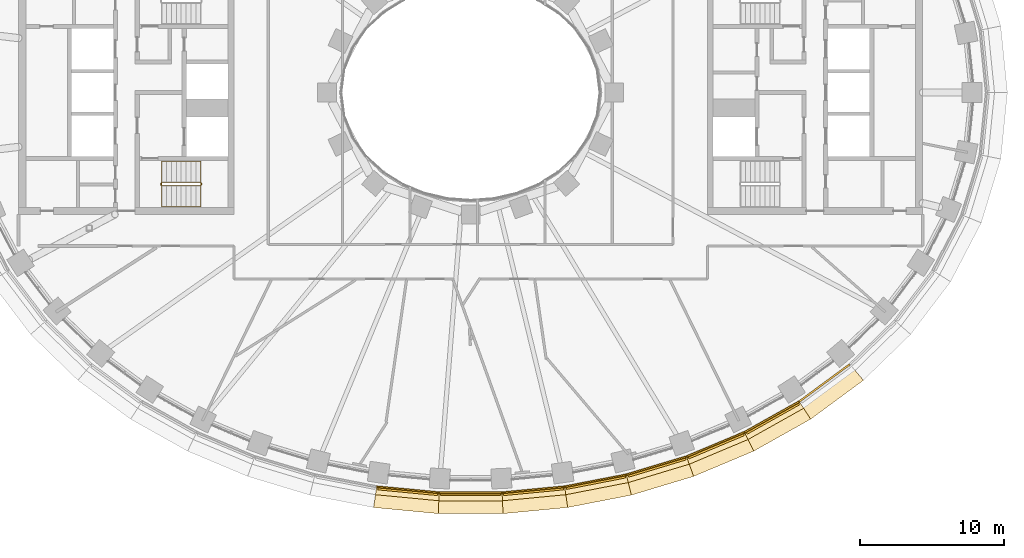
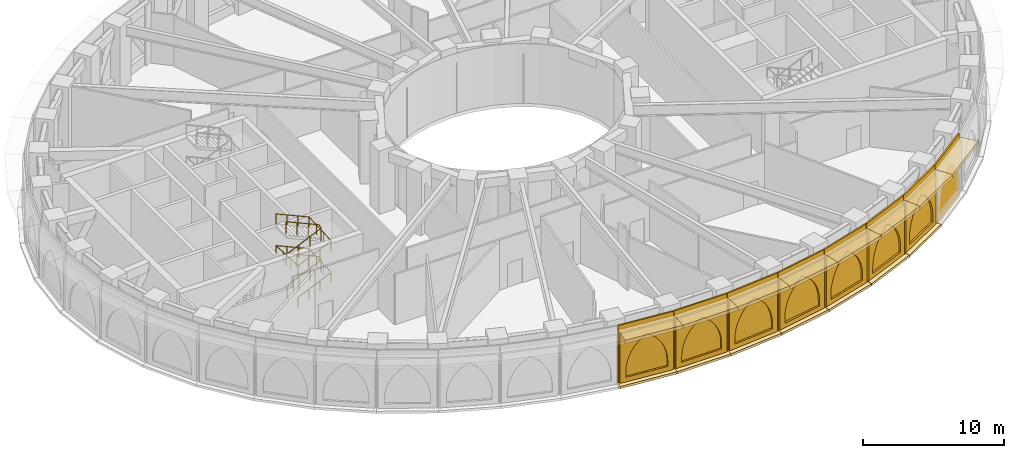
# One storey, part 21 of 25: 30 coverings, 2 railings.
"""IFC4 building model written with IfcOpenShell, lengths in metres."""

from ifc_helpers import new_model, si_unit, direction, frame, origin, origin_2d, place, context, subcontext, project, spatial, polyline, rectangle, outline, extrude, material, layer, layer_set, type_object, element, save


model = new_model("IFC4")

# Units and contexts
model_context = context("Model", 3, precision=1e-05, world=origin(), true_north=direction((0.0, 1.0)))
body_context = subcontext(model_context, "Body", "Model", "MODEL_VIEW")
ifc_project = project(units=[si_unit("LENGTHUNIT", "METRE"), si_unit("AREAUNIT", "SQUARE_METRE"), si_unit("VOLUMEUNIT", "CUBIC_METRE"), si_unit("PLANEANGLEUNIT", "RADIAN"), si_unit("MASSUNIT", "GRAM", prefix="KILO")], contexts=[model_context])

# Site, building, storey
site_placement = place(None, origin())
site = spatial("IfcSite", under=ifc_project, at=site_placement, CompositionType="ELEMENT")
building_placement = place(site_placement, origin())
building = spatial("IfcBuilding", under=site, at=building_placement, Name="Noorbagh Ring Tower", CompositionType="ELEMENT")
storey_placement = place(building_placement, frame((0.0, 0.0, 82.5)))
storey = spatial("IfcBuildingStorey", under=building, at=storey_placement, Name="L18", CompositionType="ELEMENT", Elevation=82.5)

# Railings
ifc_material_1 = material(Name="Stainless steel", Category="steel")
railing_type_1 = type_object("IfcRailingType", Name="CORE-STAIR-GUARD", PredefinedType="GUARDRAIL", material=ifc_material_1)
railing_1_placement = place(storey_placement, frame((-21.580078125, -6.449951171875, 0.0)))
element("IfcRailing", 1, at=railing_1_placement, inside=storey, type_object=railing_type_1, Name="L18 ST2 stair guard", PredefinedType="GUARDRAIL", context=body_context, shape_type="SweptSolid", body=[
    extrude(rectangle(XDim=0.048095703125, YDim=0.048095703125, at=origin_2d()), frame((0.0, 0.0, 1.076171875), z_axis=(0.0, 1.0, 0.0), x_axis=(-1.0, 0.0, 0.0)), (0.0, 0.0, 1.0), 0.14990234375),
    extrude(rectangle(XDim=0.048095703125, YDim=0.048095703125, at=origin_2d()), frame((0.0, 0.14990234375, 1.076171875), z_axis=(0.195046945594, -0.779236333862, 0.595606770449), x_axis=(0.970072785993, 0.242814311512, 0.0)), (0.0, 0.0, 1.0), 0.256591796875),
    extrude(rectangle(XDim=0.048095703125, YDim=0.048095703125, at=origin_2d()), frame((0.050048828125, -0.050048828125, 1.22900390625), z_axis=(0.912149621895, 0.0, 0.409857374312), x_axis=(0.0, 1.0, 0.0)), (0.0, 0.0, 1.0), 2.98193359375),
    extrude(rectangle(XDim=0.048095703125, YDim=0.048095703125, at=origin_2d()), frame((2.77001953125, -0.050048828125, 2.451171875), z_axis=(0.707106781187, 0.707106781187, 0.0), x_axis=(-0.707106781187, 0.707106781187, 0.0)), (0.0, 0.0, 1.0), 0.07080078125),
    extrude(rectangle(XDim=0.048095703125, YDim=0.048095703125, at=origin_2d()), frame((2.820068359375, 0.0, 2.451171875), z_axis=(0.0, 1.0, 0.0), x_axis=(-1.0, 0.0, 0.0)), (0.0, 0.0, 1.0), 0.14990234375),
    extrude(rectangle(XDim=0.048095703125, YDim=0.048095703125, at=origin_2d()), frame((2.820068359375, 0.14990234375, 2.451171875), z_axis=(-0.297155754911, 0.297155754911, 0.90741220768), x_axis=(-0.707106781187, -0.707106781187, 0.0)), (0.0, 0.0, 1.0), 0.16845703125),
    extrude(rectangle(XDim=0.048095703125, YDim=0.048095703125, at=origin_2d()), frame((2.77001953125, 0.199951171875, 2.60400390625), z_axis=(-0.912149621895, 0.0, 0.409857374312), x_axis=(0.0, -1.0, 0.0)), (0.0, 0.0, 1.0), 2.98193359375),
    extrude(rectangle(XDim=0.048095703125, YDim=0.048095703125, at=origin_2d()), frame((0.050048828125, 0.199951171875, 3.826171875), z_axis=(-0.242814311512, -0.970072785993, 0.0), x_axis=(0.970072785993, -0.242814311512, 0.0)), (0.0, 0.0, 1.0), 0.2060546875),
    extrude(rectangle(XDim=0.048095703125, YDim=0.048095703125, at=origin_2d()), frame((0.0, 0.0, 3.826171875), z_axis=(0.0, 1.0, 0.0), x_axis=(-1.0, 0.0, 0.0)), (0.0, 0.0, 1.0), 0.14990234375),
    extrude(rectangle(XDim=0.048095703125, YDim=0.048095703125, at=origin_2d()), frame((0.0, 0.14990234375, 3.826171875), z_axis=(0.195046945594, -0.779236333862, 0.595606770449), x_axis=(0.970072785993, 0.242814311512, 0.0)), (0.0, 0.0, 1.0), 0.256591796875),
    extrude(rectangle(XDim=0.048095703125, YDim=0.048095703125, at=origin_2d()), frame((0.050048828125, -0.050048828125, 3.97900390625), z_axis=(0.912149621895, 0.0, 0.409857374312), x_axis=(0.0, 1.0, 0.0)), (0.0, 0.0, 1.0), 2.98193359375),
    extrude(rectangle(XDim=0.048095703125, YDim=0.048095703125, at=origin_2d()), frame((2.77001953125, -0.050048828125, 5.201171875), z_axis=(0.707106781187, 0.707106781187, 0.0), x_axis=(-0.707106781187, 0.707106781187, 0.0)), (0.0, 0.0, 1.0), 0.07080078125),
    extrude(rectangle(XDim=0.048095703125, YDim=0.048095703125, at=origin_2d()), frame((2.820068359375, 0.0, 5.201171875), z_axis=(0.0, 1.0, 0.0), x_axis=(-1.0, 0.0, 0.0)), (0.0, 0.0, 1.0), 0.14990234375),
    extrude(rectangle(XDim=0.048095703125, YDim=0.048095703125, at=origin_2d()), frame((2.820068359375, 0.14990234375, 5.201171875), z_axis=(-0.297155754911, 0.297155754911, 0.90741220768), x_axis=(-0.707106781187, -0.707106781187, 0.0)), (0.0, 0.0, 1.0), 0.16845703125),
    extrude(rectangle(XDim=0.048095703125, YDim=0.048095703125, at=origin_2d()), frame((2.77001953125, 0.199951171875, 5.35400390625), z_axis=(-0.912149621895, 0.0, 0.409857374312), x_axis=(0.0, -1.0, 0.0)), (0.0, 0.0, 1.0), 2.98193359375),
    extrude(rectangle(XDim=0.0419921875, YDim=0.0419921875, at=origin_2d()), origin(), (0.0, 0.0, 1.0), 1.052001953125),
    extrude(rectangle(XDim=0.0419921875, YDim=0.0419921875, at=origin_2d()), frame((0.956787109375, -0.050048828125, 0.560302734375)), (0.0, 0.0, 1.0), 1.052001953125),
    extrude(rectangle(XDim=0.0419921875, YDim=0.0419921875, at=origin_2d()), frame((1.86328125, -0.050048828125, 0.967529296875)), (0.0, 0.0, 1.0), 1.052001953125),
    extrude(rectangle(XDim=0.0419921875, YDim=0.0419921875, at=origin_2d()), frame((2.77001953125, -0.050048828125, 1.375)), (0.0, 0.0, 1.0), 1.052001953125),
    extrude(rectangle(XDim=0.0419921875, YDim=0.0419921875, at=origin_2d()), frame((1.86328125, 0.199951171875, 1.935302734375)), (0.0, 0.0, 1.0), 1.052001953125),
    extrude(rectangle(XDim=0.0419921875, YDim=0.0419921875, at=origin_2d()), frame((0.956787109375, 0.199951171875, 2.342529296875)), (0.0, 0.0, 1.0), 1.052001953125),
    extrude(rectangle(XDim=0.0419921875, YDim=0.0419921875, at=origin_2d()), frame((0.050048828125, 0.199951171875, 2.75)), (0.0, 0.0, 1.0), 1.052001953125),
    extrude(rectangle(XDim=0.0419921875, YDim=0.0419921875, at=origin_2d()), frame((0.956787109375, -0.050048828125, 3.310302734375)), (0.0, 0.0, 1.0), 1.052001953125),
    extrude(rectangle(XDim=0.0419921875, YDim=0.0419921875, at=origin_2d()), frame((1.86328125, -0.050048828125, 3.717529296875)), (0.0, 0.0, 1.0), 1.052001953125),
    extrude(rectangle(XDim=0.0419921875, YDim=0.0419921875, at=origin_2d()), frame((2.77001953125, -0.050048828125, 4.125)), (0.0, 0.0, 1.0), 1.052001953125),
    extrude(rectangle(XDim=0.0419921875, YDim=0.0419921875, at=origin_2d()), frame((1.86328125, 0.199951171875, 4.685302734375)), (0.0, 0.0, 1.0), 1.052001953125),
    extrude(rectangle(XDim=0.0419921875, YDim=0.0419921875, at=origin_2d()), frame((0.956787109375, 0.199951171875, 5.092529296875)), (0.0, 0.0, 1.0), 1.052001953125),
    extrude(rectangle(XDim=0.0419921875, YDim=0.0419921875, at=origin_2d()), frame((0.050048828125, 0.199951171875, 5.5)), (0.0, 0.0, 1.0), 1.052001953125),
])
ifc_material_2 = material(Name="Stainless steel", Category="steel")
railing_type_2 = type_object("IfcRailingType", Name="CORE-STAIR-HANDRAIL", PredefinedType="HANDRAIL", material=ifc_material_2)
railing_2_placement = place(storey_placement, frame((-21.530029296875, -7.949951171875, 0.15283203125)))
element("IfcRailing", 2, at=railing_2_placement, inside=storey, type_object=railing_type_2, Name="L18 ST2 stair handrail", PredefinedType="HANDRAIL", context=body_context, shape_type="SweptSolid", body=[
    extrude(rectangle(XDim=0.048095703125, YDim=0.048095703125, at=origin_2d()), frame((0.0, 0.0, 0.8759765625), z_axis=(0.912149621895, 0.0, 0.409857374312), x_axis=(0.0, 1.0, 0.0)), (0.0, 0.0, 1.0), 2.98193359375),
    extrude(rectangle(XDim=0.048095703125, YDim=0.048095703125, at=origin_2d()), frame((2.719970703125, 0.0, 2.09814453125), z_axis=(0.0, 0.998824997948, 0.048462598722), x_axis=(-1.0, 0.0, 0.0)), (0.0, 0.0, 1.0), 3.153564453125),
    extrude(rectangle(XDim=0.048095703125, YDim=0.048095703125, at=origin_2d()), frame((2.719970703125, 3.14990234375, 2.2509765625), z_axis=(-0.912149621895, 0.0, 0.409857374312), x_axis=(0.0, -1.0, 0.0)), (0.0, 0.0, 1.0), 2.98193359375),
    extrude(rectangle(XDim=0.048095703125, YDim=0.048095703125, at=origin_2d()), frame((0.0, 3.14990234375, 3.47314453125), z_axis=(0.0, -0.998824997948, 0.048462598722), x_axis=(1.0, 0.0, 0.0)), (0.0, 0.0, 1.0), 3.153564453125),
    extrude(rectangle(XDim=0.048095703125, YDim=0.048095703125, at=origin_2d()), frame((0.0, 0.0, 3.6259765625), z_axis=(0.912149621895, 0.0, 0.409857374312), x_axis=(0.0, 1.0, 0.0)), (0.0, 0.0, 1.0), 2.98193359375),
    extrude(rectangle(XDim=0.048095703125, YDim=0.048095703125, at=origin_2d()), frame((2.719970703125, 0.0, 4.84814453125), z_axis=(0.0, 0.998824997948, 0.048462598722), x_axis=(-1.0, 0.0, 0.0)), (0.0, 0.0, 1.0), 3.153564453125),
    extrude(rectangle(XDim=0.048095703125, YDim=0.048095703125, at=origin_2d()), frame((2.719970703125, 3.14990234375, 5.0009765625), z_axis=(-0.912149621895, 0.0, 0.409857374312), x_axis=(0.0, -1.0, 0.0)), (0.0, 0.0, 1.0), 2.98193359375),
    extrude(rectangle(XDim=0.0419921875, YDim=0.0419921875, at=origin_2d()), origin(), (0.0, 0.0, 1.0), 0.851806640625),
    extrude(rectangle(XDim=0.0419921875, YDim=0.0419921875, at=origin_2d()), frame((0.90673828125, 0.0, 0.407470703125)), (0.0, 0.0, 1.0), 0.851806640625),
    extrude(rectangle(XDim=0.0419921875, YDim=0.0419921875, at=origin_2d()), frame((1.813232421875, 0.0, 0.814697265625)), (0.0, 0.0, 1.0), 0.851806640625),
    extrude(rectangle(XDim=0.0419921875, YDim=0.0419921875, at=origin_2d()), frame((2.719970703125, 0.0, 1.22216796875)), (0.0, 0.0, 1.0), 0.851806640625),
    extrude(rectangle(XDim=0.0419921875, YDim=0.0419921875, at=origin_2d()), frame((2.719970703125, 1.050048828125, 1.273193359375)), (0.0, 0.0, 1.0), 0.851806640625),
    extrude(rectangle(XDim=0.0419921875, YDim=0.0419921875, at=origin_2d()), frame((2.719970703125, 2.099853515625, 1.323974609375)), (0.0, 0.0, 1.0), 0.851806640625),
    extrude(rectangle(XDim=0.0419921875, YDim=0.0419921875, at=origin_2d()), frame((2.719970703125, 3.14990234375, 1.375)), (0.0, 0.0, 1.0), 0.851806640625),
    extrude(rectangle(XDim=0.0419921875, YDim=0.0419921875, at=origin_2d()), frame((1.813232421875, 3.14990234375, 1.782470703125)), (0.0, 0.0, 1.0), 0.851806640625),
    extrude(rectangle(XDim=0.0419921875, YDim=0.0419921875, at=origin_2d()), frame((0.90673828125, 3.14990234375, 2.189697265625)), (0.0, 0.0, 1.0), 0.851806640625),
    extrude(rectangle(XDim=0.0419921875, YDim=0.0419921875, at=origin_2d()), frame((0.0, 3.14990234375, 2.59716796875)), (0.0, 0.0, 1.0), 0.851806640625),
    extrude(rectangle(XDim=0.0419921875, YDim=0.0419921875, at=origin_2d()), frame((0.0, 2.099853515625, 2.648193359375)), (0.0, 0.0, 1.0), 0.851806640625),
    extrude(rectangle(XDim=0.0419921875, YDim=0.0419921875, at=origin_2d()), frame((0.0, 1.050048828125, 2.698974609375)), (0.0, 0.0, 1.0), 0.851806640625),
    extrude(rectangle(XDim=0.0419921875, YDim=0.0419921875, at=origin_2d()), frame((0.0, 0.0, 2.75)), (0.0, 0.0, 1.0), 0.851806640625),
    extrude(rectangle(XDim=0.0419921875, YDim=0.0419921875, at=origin_2d()), frame((0.90673828125, 0.0, 3.157470703125)), (0.0, 0.0, 1.0), 0.851806640625),
    extrude(rectangle(XDim=0.0419921875, YDim=0.0419921875, at=origin_2d()), frame((1.813232421875, 0.0, 3.564697265625)), (0.0, 0.0, 1.0), 0.851806640625),
    extrude(rectangle(XDim=0.0419921875, YDim=0.0419921875, at=origin_2d()), frame((2.719970703125, 0.0, 3.97216796875)), (0.0, 0.0, 1.0), 0.851806640625),
    extrude(rectangle(XDim=0.0419921875, YDim=0.0419921875, at=origin_2d()), frame((2.719970703125, 1.050048828125, 4.023193359375)), (0.0, 0.0, 1.0), 0.851806640625),
    extrude(rectangle(XDim=0.0419921875, YDim=0.0419921875, at=origin_2d()), frame((2.719970703125, 2.099853515625, 4.073974609375)), (0.0, 0.0, 1.0), 0.851806640625),
    extrude(rectangle(XDim=0.0419921875, YDim=0.0419921875, at=origin_2d()), frame((2.719970703125, 3.14990234375, 4.125)), (0.0, 0.0, 1.0), 0.851806640625),
    extrude(rectangle(XDim=0.0419921875, YDim=0.0419921875, at=origin_2d()), frame((1.813232421875, 3.14990234375, 4.532470703125)), (0.0, 0.0, 1.0), 0.851806640625),
    extrude(rectangle(XDim=0.0419921875, YDim=0.0419921875, at=origin_2d()), frame((0.90673828125, 3.14990234375, 4.939697265625)), (0.0, 0.0, 1.0), 0.851806640625),
    extrude(rectangle(XDim=0.0419921875, YDim=0.0419921875, at=origin_2d()), frame((0.0, 3.14990234375, 5.34716796875)), (0.0, 0.0, 1.0), 0.851806640625),
])

# Coverings
ifc_material_3 = material(Name="Aluminium 6063-T6 black anodised", Category="aluminium")
ifc_layer_1 = layer(ifc_material_3, 0.1201171875)
ifc_layer_set_1 = layer_set([ifc_layer_1], Name="Aluminium 6063-T6 black anodised")
covering_type_1 = type_object("IfcCoveringType", Name="ENV-LOUVRE-BAND", PredefinedType="CLADDING", material=ifc_layer_set_1)
for number, where, z_axis, x_axis, name in (
    (3, (-4.37060546875, -27.679931640625, -0.300048828125), (0.0, 0.0, 1.0), (0.995476497323, -0.095008122171, 0.0), "Louvre screen chord 34"),
    (4, (0.0, -27.887939453125, -0.300048828125), (0.0, 0.0, 1.0), (1.0, 0.0, 0.0), "Louvre screen chord 35"),
    (5, (4.37060546875, -27.679931640625, -0.300048828125), (0.0, 0.0, 1.0), (0.995476497323, 0.095008122171, 0.0), "Louvre screen chord 36"),
    (6, (8.700927734375, -27.053955078125, -0.300048828125), (0.0, 0.0, 1.0), (0.981624952922, 0.190820470077, 0.0), "Louvre screen chord 37"),
):
    element("IfcCovering", number, at=place(storey_placement, frame(where, z_axis=z_axis, x_axis=x_axis)), inside=storey, type_object=covering_type_1, Name=name, ObjectType="LOUVRE", PredefinedType="CLADDING", context=body_context, shape_type="SweptSolid", body=[
        extrude(rectangle(XDim=4.349853515625, YDim=0.1201171875, at=origin_2d()), origin(), (0.0, 0.0, 1.0), 5.5),
    ])
covering_1_placement = place(storey_placement, frame((12.947998046875, -26.0048828125, -0.300048828125), z_axis=(0.0, 0.0, 1.0), x_axis=(0.957577925467, 0.28817445525, 0.0)))
element("IfcCovering", 7, at=covering_1_placement, inside=storey, type_object=covering_type_1, Name="Louvre screen chord 38", ObjectType="LOUVRE", PredefinedType="CLADDING", context=body_context, shape_type="SweptSolid", body=[
    extrude(rectangle(XDim=4.349609375, YDim=0.1201171875, at=origin_2d()), origin(), (0.0, 0.0, 1.0), 5.5),
])
covering_2_placement = place(storey_placement, frame((17.0634765625, -24.52490234375, -0.300048828125), z_axis=(0.0, 0.0, 1.0), x_axis=(0.921811566494, 0.387638279686, 0.0)))
element("IfcCovering", 8, at=covering_2_placement, inside=storey, type_object=covering_type_1, Name="Louvre screen chord 39", ObjectType="LOUVRE", PredefinedType="CLADDING", context=body_context, shape_type="SweptSolid", body=[
    extrude(rectangle(XDim=4.349365234375, YDim=0.1201171875, at=origin_2d()), origin(), (0.0, 0.0, 1.0), 5.5),
])
covering_3_placement = place(storey_placement, frame((20.990966796875, -22.604736328125, -0.300048828125), z_axis=(0.0, 0.0, 1.0), x_axis=(0.872044586249, 0.48942643941, 0.0)))
element("IfcCovering", 9, at=covering_3_placement, inside=storey, type_object=covering_type_1, Name="Louvre screen chord 40", ObjectType="LOUVRE", PredefinedType="CLADDING", context=body_context, shape_type="SweptSolid", body=[
    extrude(rectangle(XDim=4.34912109375, YDim=0.1201171875, at=origin_2d()), origin(), (0.0, 0.0, 1.0), 5.5),
])
covering_4_placement = place(storey_placement, frame((24.662109375, -20.2353515625, -0.300048828125), z_axis=(0.0, 0.0, 1.0), x_axis=(0.805153045326, 0.593067090304, 0.0)))
element("IfcCovering", 10, at=covering_4_placement, inside=storey, type_object=covering_type_1, Name="Louvre screen chord 41", ObjectType="LOUVRE", PredefinedType="CLADDING", context=body_context, shape_type="SweptSolid", body=[
    extrude(rectangle(XDim=4.3486328125, YDim=0.1201171875, at=origin_2d()), origin(), (0.0, 0.0, 1.0), 5.5),
])
ifc_material_4 = material(Name="Red sandstone cladding", Category="masonry")
ifc_layer_2 = layer(ifc_material_4, 0.14990234375)
ifc_layer_set_2 = layer_set([ifc_layer_2], Name="Red sandstone cladding")
covering_type_2 = type_object("IfcCoveringType", Name="STYLE-BAND-ARCADE", PredefinedType="USERDEFINED", material=ifc_layer_set_2)
covering_5_placement = place(storey_placement, frame((-6.474365234375, -27.690185546875, 0.25), z_axis=(-0.094998982718, -0.995477369548, 0.0), x_axis=(0.995477369548, -0.094998982718, 0.0)))
element("IfcCovering", 11, at=covering_5_placement, inside=storey, type_object=covering_type_2, Name="Blind arch bay of the band", ObjectType="ARCH", PredefinedType="USERDEFINED", context=body_context, shape_type="SweptSolid", body=[
    extrude(outline(polyline([(0.0, 0.0), (4.1865234375, 0.0), (4.1865234375, 4.300048828125), (0.0, 4.300048828125), (0.0, 0.0)]), holes=[polyline([(0.449951171875, 0.39990234375), (0.449951171875, 0.904052734375), (0.47802734375, 1.3330078125), (0.56201171875, 1.754638671875), (0.7001953125, 2.16162109375), (0.890380859375, 2.547119140625), (1.129150390625, 2.904541015625), (1.41259765625, 3.227783203125), (1.735595703125, 3.51123046875), (2.09326171875, 3.75), (2.45068359375, 3.51123046875), (2.773681640625, 3.227783203125), (3.05712890625, 2.904541015625), (3.2958984375, 2.547119140625), (3.486083984375, 2.16162109375), (3.624267578125, 1.754638671875), (3.708251953125, 1.3330078125), (3.736328125, 0.904052734375), (3.736328125, 0.39990234375), (0.449951171875, 0.39990234375)])]), origin(), (0.0, 0.0, -1.0), 0.14990234375),
])
covering_6_placement = place(storey_placement, frame((-2.09326171875, -28.097900390625, 0.25), z_axis=(0.0, -1.0, 0.0), x_axis=(1.0, 0.0, 0.0)))
element("IfcCovering", 12, at=covering_6_placement, inside=storey, type_object=covering_type_2, Name="Blind arch bay of the band", ObjectType="ARCH", PredefinedType="USERDEFINED", context=body_context, shape_type="SweptSolid", body=[
    extrude(outline(polyline([(0.0, 0.0), (4.1865234375, 0.0), (4.1865234375, 4.300048828125), (0.0, 4.300048828125), (0.0, 0.0)]), holes=[polyline([(0.449951171875, 0.39990234375), (0.449951171875, 0.904052734375), (0.47802734375, 1.3330078125), (0.56201171875, 1.754638671875), (0.7001953125, 2.16162109375), (0.890380859375, 2.547119140625), (1.129150390625, 2.904541015625), (1.41259765625, 3.227783203125), (1.735595703125, 3.51123046875), (2.09326171875, 3.75), (2.45068359375, 3.51123046875), (2.773681640625, 3.227783203125), (3.05712890625, 2.904541015625), (3.296142578125, 2.547119140625), (3.486083984375, 2.16162109375), (3.62451171875, 1.754638671875), (3.708251953125, 1.3330078125), (3.736328125, 0.904052734375), (3.736328125, 0.39990234375), (0.449951171875, 0.39990234375)])]), origin(), (0.0, 0.0, -1.0), 0.14990234375),
])
covering_7_placement = place(storey_placement, frame((2.306884765625, -28.087890625, 0.25), z_axis=(0.094998982718, -0.995477369548, 0.0), x_axis=(0.995477369548, 0.094998982718, 0.0)))
element("IfcCovering", 13, at=covering_7_placement, inside=storey, type_object=covering_type_2, Name="Blind arch bay of the band", ObjectType="ARCH", PredefinedType="USERDEFINED", context=body_context, shape_type="SweptSolid", body=[
    extrude(outline(polyline([(0.0, 0.0), (4.1865234375, 0.0), (4.1865234375, 4.300048828125), (0.0, 4.300048828125), (0.0, 0.0)]), holes=[polyline([(0.449951171875, 0.39990234375), (0.449951171875, 0.904052734375), (0.47802734375, 1.3330078125), (0.56201171875, 1.754638671875), (0.7001953125, 2.16162109375), (0.890380859375, 2.547119140625), (1.129150390625, 2.904541015625), (1.41259765625, 3.227783203125), (1.735595703125, 3.51123046875), (2.09326171875, 3.75), (2.45068359375, 3.51123046875), (2.773681640625, 3.227783203125), (3.05712890625, 2.904541015625), (3.2958984375, 2.547119140625), (3.486083984375, 2.16162109375), (3.624267578125, 1.754638671875), (3.708251953125, 1.3330078125), (3.736328125, 0.904052734375), (3.736328125, 0.39990234375), (0.449951171875, 0.39990234375)])]), origin(), (0.0, 0.0, -1.0), 0.14990234375),
])
covering_8_placement = place(storey_placement, frame((6.6865234375, -27.659423828125, 0.25), z_axis=(0.190819708322, -0.981625101001, 0.0), x_axis=(0.981625101001, 0.190819708322, 0.0)))
element("IfcCovering", 14, at=covering_8_placement, inside=storey, type_object=covering_type_2, Name="Blind arch bay of the band", ObjectType="ARCH", PredefinedType="USERDEFINED", context=body_context, shape_type="SweptSolid", body=[
    extrude(outline(polyline([(0.0, 0.0), (4.186279296875, 0.0), (4.186279296875, 4.300048828125), (0.0, 4.300048828125), (0.0, 0.0)]), holes=[polyline([(0.449951171875, 0.39990234375), (0.449951171875, 0.904052734375), (0.47802734375, 1.3330078125), (0.56201171875, 1.754638671875), (0.7001953125, 2.16162109375), (0.890380859375, 2.547119140625), (1.129150390625, 2.90478515625), (1.41259765625, 3.227783203125), (1.735595703125, 3.51123046875), (2.093017578125, 3.75), (2.450439453125, 3.51123046875), (2.773681640625, 3.227783203125), (3.05712890625, 2.90478515625), (3.2958984375, 2.547119140625), (3.486083984375, 2.16162109375), (3.624267578125, 1.754638671875), (3.7080078125, 1.3330078125), (3.736083984375, 0.904052734375), (3.736083984375, 0.39990234375), (0.449951171875, 0.39990234375)])]), origin(), (0.0, 0.0, -1.0), 0.14990234375),
])
covering_9_placement = place(storey_placement, frame((11.00439453125, -26.80908203125, 0.25), z_axis=(0.288182515773, -0.957575499688, 0.0), x_axis=(0.957575499688, 0.288182515773, 0.0)))
element("IfcCovering", 15, at=covering_9_placement, inside=storey, type_object=covering_type_2, Name="Blind arch bay of the band", ObjectType="ARCH", PredefinedType="USERDEFINED", context=body_context, shape_type="SweptSolid", body=[
    extrude(outline(polyline([(0.0, 0.0), (4.185791015625, 0.0), (4.185791015625, 4.300048828125), (0.0, 4.300048828125), (0.0, 0.0)]), holes=[polyline([(0.449951171875, 0.39990234375), (0.449951171875, 0.904296875), (0.47802734375, 1.333251953125), (0.56201171875, 1.7548828125), (0.7001953125, 2.161865234375), (0.890380859375, 2.54736328125), (1.129150390625, 2.90478515625), (1.41259765625, 3.227783203125), (1.735595703125, 3.51123046875), (2.093017578125, 3.75), (2.450439453125, 3.51123046875), (2.773681640625, 3.227783203125), (3.056884765625, 2.90478515625), (3.2958984375, 2.54736328125), (3.48583984375, 2.161865234375), (3.6240234375, 1.7548828125), (3.7080078125, 1.333251953125), (3.736083984375, 0.904296875), (3.736083984375, 0.39990234375), (0.449951171875, 0.39990234375)])]), origin(), (0.0, 0.0, -1.0), 0.14990234375),
])
covering_10_placement = place(storey_placement, frame((15.215576171875, -25.52978515625, 0.25), z_axis=(0.387624121421, -0.92181752017, 0.0), x_axis=(0.92181752017, 0.387624121421, 0.0)))
element("IfcCovering", 16, at=covering_10_placement, inside=storey, type_object=covering_type_2, Name="Blind arch bay of the band", ObjectType="ARCH", PredefinedType="USERDEFINED", context=body_context, shape_type="SweptSolid", body=[
    extrude(outline(polyline([(0.0, 0.0), (4.185791015625, 0.0), (4.185791015625, 4.300048828125), (0.0, 4.300048828125), (0.0, 0.0)]), holes=[polyline([(0.449951171875, 0.39990234375), (0.449951171875, 0.904541015625), (0.47802734375, 1.33349609375), (0.56201171875, 1.7548828125), (0.7001953125, 2.161865234375), (0.89013671875, 2.54736328125), (1.12890625, 2.90478515625), (1.412353515625, 3.227783203125), (1.735595703125, 3.51123046875), (2.093017578125, 3.75), (2.4501953125, 3.51123046875), (2.7734375, 3.227783203125), (3.056884765625, 2.90478515625), (3.295654296875, 2.54736328125), (3.485595703125, 2.161865234375), (3.623779296875, 1.7548828125), (3.707763671875, 1.33349609375), (3.73583984375, 0.904541015625), (3.73583984375, 0.39990234375), (0.449951171875, 0.39990234375)])]), origin(), (0.0, 0.0, -1.0), 0.14990234375),
])
covering_11_placement = place(storey_placement, frame((19.268798828125, -23.81201171875, 0.25), z_axis=(0.489402470802, -0.872058037961, 0.0), x_axis=(0.872058037961, 0.489402470802, 0.0)))
element("IfcCovering", 17, at=covering_11_placement, inside=storey, type_object=covering_type_2, Name="Blind arch bay of the band", ObjectType="ARCH", PredefinedType="USERDEFINED", context=body_context, shape_type="SweptSolid", body=[
    extrude(outline(polyline([(0.0, 0.0), (4.185302734375, 0.0), (4.185302734375, 4.300048828125), (0.0, 4.300048828125), (0.0, 0.0)]), holes=[polyline([(0.449951171875, 0.39990234375), (0.449951171875, 0.90478515625), (0.47802734375, 1.33349609375), (0.56201171875, 1.755126953125), (0.7001953125, 2.162109375), (0.89013671875, 2.547607421875), (1.12890625, 2.90478515625), (1.412353515625, 3.22802734375), (1.7353515625, 3.51123046875), (2.0927734375, 3.75), (2.4501953125, 3.51123046875), (2.773193359375, 3.22802734375), (3.056396484375, 2.90478515625), (3.29541015625, 2.547607421875), (3.4853515625, 2.162109375), (3.62353515625, 1.755126953125), (3.70751953125, 1.33349609375), (3.735595703125, 0.90478515625), (3.735595703125, 0.39990234375), (0.449951171875, 0.39990234375)])]), origin(), (0.0, 0.0, -1.0), 0.14990234375),
])
ifc_material_5 = material(Name="Red sandstone eave", Category="masonry")
covering_type_3 = type_object("IfcCoveringType", Name="STYLE-BAND-EAVE", PredefinedType="USERDEFINED", material=ifc_material_5)
covering_12_placement = place(storey_placement, frame((0.0, 0.0, 4.550048828125)))
element("IfcCovering", 18, at=covering_12_placement, inside=storey, type_object=covering_type_3, Name="Chhajja eave", ObjectType="CHHAJJA", PredefinedType="USERDEFINED", context=body_context, shape_type="SweptSolid", body=[
    extrude(outline(polyline([(-6.559814453125, -27.53125), (-2.193115234375, -27.947998046875), (-2.259765625, -29.347900390625), (-6.76025390625, -28.91845703125), (-6.559814453125, -27.53125)])), origin(), (0.0, 0.0, 1.0), 0.300048828125),
])
covering_13_placement = place(storey_placement, frame((0.0, 0.0, 4.550048828125)))
element("IfcCovering", 19, at=covering_13_placement, inside=storey, type_object=covering_type_3, Name="Chhajja eave", ObjectType="CHHAJJA", PredefinedType="USERDEFINED", context=body_context, shape_type="SweptSolid", body=[
    extrude(outline(polyline([(-2.193115234375, -27.947998046875), (2.193115234375, -27.947998046875), (2.259765625, -29.347900390625), (-2.259765625, -29.347900390625), (-2.193115234375, -27.947998046875)])), origin(), (0.0, 0.0, 1.0), 0.300048828125),
])
covering_14_placement = place(storey_placement, frame((0.0, 0.0, 4.550048828125)))
element("IfcCovering", 20, at=covering_14_placement, inside=storey, type_object=covering_type_3, Name="Chhajja eave", ObjectType="CHHAJJA", PredefinedType="USERDEFINED", context=body_context, shape_type="SweptSolid", body=[
    extrude(outline(polyline([(2.193115234375, -27.947998046875), (6.559814453125, -27.53125), (6.76025390625, -28.91845703125), (2.259765625, -29.347900390625), (2.193115234375, -27.947998046875)])), origin(), (0.0, 0.0, 1.0), 0.300048828125),
])
covering_15_placement = place(storey_placement, frame((0.0, 0.0, 4.550048828125)))
element("IfcCovering", 21, at=covering_15_placement, inside=storey, type_object=covering_type_3, Name="Chhajja eave", ObjectType="CHHAJJA", PredefinedType="USERDEFINED", context=body_context, shape_type="SweptSolid", body=[
    extrude(outline(polyline([(6.559814453125, -27.53125), (10.865234375, -26.6943359375), (11.201416015625, -28.05517578125), (6.76025390625, -28.91845703125), (6.559814453125, -27.53125)])), origin(), (0.0, 0.0, 1.0), 0.300048828125),
])
covering_16_placement = place(storey_placement, frame((0.0, 0.0, 4.550048828125)))
element("IfcCovering", 22, at=covering_16_placement, inside=storey, type_object=covering_type_3, Name="Chhajja eave", ObjectType="CHHAJJA", PredefinedType="USERDEFINED", context=body_context, shape_type="SweptSolid", body=[
    extrude(outline(polyline([(10.865234375, -26.6943359375), (15.065185546875, -25.430419921875), (15.539794921875, -26.74951171875), (11.201416015625, -28.05517578125), (10.865234375, -26.6943359375)])), origin(), (0.0, 0.0, 1.0), 0.300048828125),
])
covering_17_placement = place(storey_placement, frame((0.0, 0.0, 4.550048828125)))
element("IfcCovering", 23, at=covering_17_placement, inside=storey, type_object=covering_type_3, Name="Chhajja eave", ObjectType="CHHAJJA", PredefinedType="USERDEFINED", context=body_context, shape_type="SweptSolid", body=[
    extrude(outline(polyline([(15.065185546875, -25.430419921875), (19.108154296875, -23.730224609375), (19.72412109375, -24.989990234375), (15.539794921875, -26.74951171875), (15.065185546875, -25.430419921875)])), origin(), (0.0, 0.0, 1.0), 0.300048828125),
])
covering_18_placement = place(storey_placement, frame((0.0, 0.0, 4.550048828125)))
element("IfcCovering", 24, at=covering_18_placement, inside=storey, type_object=covering_type_3, Name="Chhajja eave", ObjectType="CHHAJJA", PredefinedType="USERDEFINED", context=body_context, shape_type="SweptSolid", body=[
    extrude(outline(polyline([(19.108154296875, -23.730224609375), (22.9326171875, -21.583740234375), (23.693115234375, -22.762451171875), (19.72412109375, -24.989990234375), (19.108154296875, -23.730224609375)])), origin(), (0.0, 0.0, 1.0), 0.300048828125),
])
covering_19_placement = place(storey_placement, frame((0.0, 0.0, 4.550048828125)))
element("IfcCovering", 25, at=covering_19_placement, inside=storey, type_object=covering_type_3, Name="Chhajja eave", ObjectType="CHHAJJA", PredefinedType="USERDEFINED", context=body_context, shape_type="SweptSolid", body=[
    extrude(outline(polyline([(22.9326171875, -21.583740234375), (26.463134765625, -18.9833984375), (27.3701171875, -20.053955078125), (23.693115234375, -22.762451171875), (22.9326171875, -21.583740234375)])), origin(), (0.0, 0.0, 1.0), 0.300048828125),
])
ifc_material_6 = material(Name="Red sandstone eave", Category="masonry")
covering_type_4 = type_object("IfcCoveringType", Name="STYLE-BAND-SILL", PredefinedType="USERDEFINED", material=ifc_material_6)
covering_20_placement = place(storey_placement, frame((0.0, 0.0, 0.050048828125)))
element("IfcCovering", 26, at=covering_20_placement, inside=storey, type_object=covering_type_4, Name="Sill ledge", ObjectType="CHHAJJA", PredefinedType="USERDEFINED", context=body_context, shape_type="SweptSolid", body=[
    extrude(outline(polyline([(-6.559814453125, -27.53125), (-2.193115234375, -27.947998046875), (-2.217041015625, -28.447998046875), (-6.63134765625, -28.026611328125), (-6.559814453125, -27.53125)])), origin(), (0.0, 0.0, 1.0), 0.199951171875),
])
covering_21_placement = place(storey_placement, frame((0.0, 0.0, 0.050048828125)))
element("IfcCovering", 27, at=covering_21_placement, inside=storey, type_object=covering_type_4, Name="Sill ledge", ObjectType="CHHAJJA", PredefinedType="USERDEFINED", context=body_context, shape_type="SweptSolid", body=[
    extrude(outline(polyline([(-2.193115234375, -27.947998046875), (2.193115234375, -27.947998046875), (2.217041015625, -28.447998046875), (-2.217041015625, -28.447998046875), (-2.193115234375, -27.947998046875)])), origin(), (0.0, 0.0, 1.0), 0.199951171875),
])
covering_22_placement = place(storey_placement, frame((0.0, 0.0, 0.050048828125)))
element("IfcCovering", 28, at=covering_22_placement, inside=storey, type_object=covering_type_4, Name="Sill ledge", ObjectType="CHHAJJA", PredefinedType="USERDEFINED", context=body_context, shape_type="SweptSolid", body=[
    extrude(outline(polyline([(2.193115234375, -27.947998046875), (6.559814453125, -27.53125), (6.63134765625, -28.026611328125), (2.217041015625, -28.447998046875), (2.193115234375, -27.947998046875)])), origin(), (0.0, 0.0, 1.0), 0.199951171875),
])
covering_23_placement = place(storey_placement, frame((0.0, 0.0, 0.050048828125)))
element("IfcCovering", 29, at=covering_23_placement, inside=storey, type_object=covering_type_4, Name="Sill ledge", ObjectType="CHHAJJA", PredefinedType="USERDEFINED", context=body_context, shape_type="SweptSolid", body=[
    extrude(outline(polyline([(6.559814453125, -27.53125), (10.865234375, -26.6943359375), (10.9853515625, -27.180419921875), (6.63134765625, -28.026611328125), (6.559814453125, -27.53125)])), origin(), (0.0, 0.0, 1.0), 0.199951171875),
])
covering_24_placement = place(storey_placement, frame((0.0, 0.0, 0.050048828125)))
element("IfcCovering", 30, at=covering_24_placement, inside=storey, type_object=covering_type_4, Name="Sill ledge", ObjectType="CHHAJJA", PredefinedType="USERDEFINED", context=body_context, shape_type="SweptSolid", body=[
    extrude(outline(polyline([(10.865234375, -26.6943359375), (15.065185546875, -25.430419921875), (15.234619140625, -25.901611328125), (10.9853515625, -27.180419921875), (10.865234375, -26.6943359375)])), origin(), (0.0, 0.0, 1.0), 0.199951171875),
])
covering_25_placement = place(storey_placement, frame((0.0, 0.0, 0.050048828125)))
element("IfcCovering", 31, at=covering_25_placement, inside=storey, type_object=covering_type_4, Name="Sill ledge", ObjectType="CHHAJJA", PredefinedType="USERDEFINED", context=body_context, shape_type="SweptSolid", body=[
    extrude(outline(polyline([(15.065185546875, -25.430419921875), (19.108154296875, -23.730224609375), (19.328125, -24.18017578125), (15.234619140625, -25.901611328125), (15.065185546875, -25.430419921875)])), origin(), (0.0, 0.0, 1.0), 0.199951171875),
])
covering_26_placement = place(storey_placement, frame((0.0, 0.0, 0.050048828125)))
element("IfcCovering", 32, at=covering_26_placement, inside=storey, type_object=covering_type_4, Name="Sill ledge", ObjectType="CHHAJJA", PredefinedType="USERDEFINED", context=body_context, shape_type="SweptSolid", body=[
    extrude(outline(polyline([(19.108154296875, -23.730224609375), (22.9326171875, -21.583740234375), (23.2041015625, -22.004638671875), (19.328125, -24.18017578125), (19.108154296875, -23.730224609375)])), origin(), (0.0, 0.0, 1.0), 0.199951171875),
])

save(model, "model.ifc")
